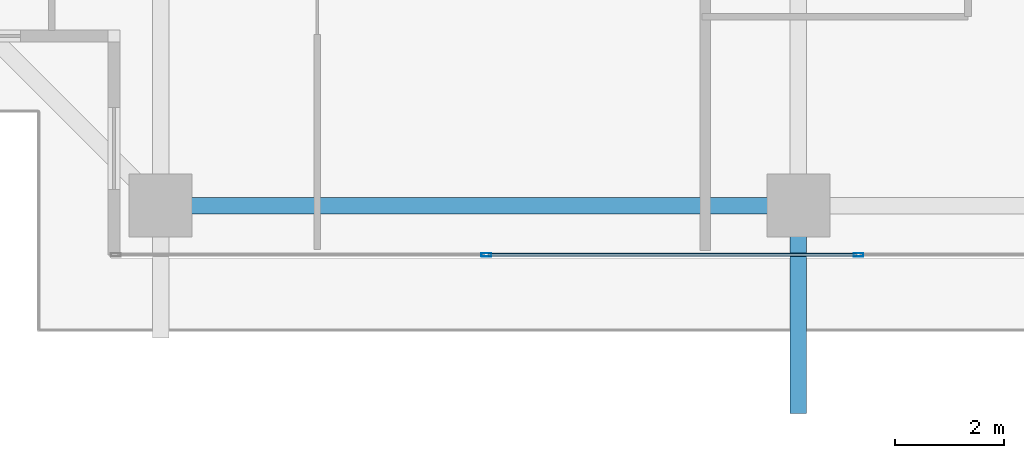
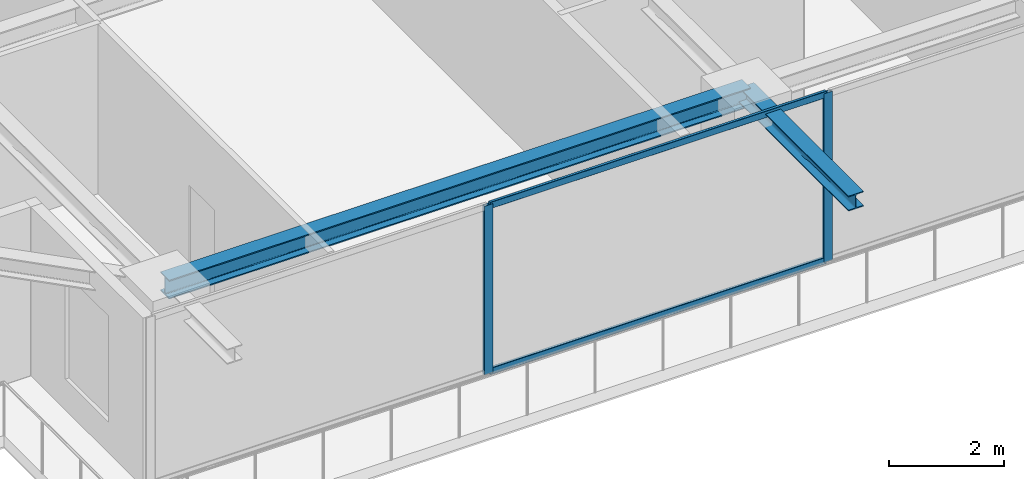
# One storey, part 5 of 39: 4 members, 2 beams, 1 element without a shape of its own.
"""IFC4 building model written with IfcOpenShell, lengths in metres."""

from ifc_helpers import new_model, si_unit, direction, frame, origin, origin_2d, place, context, subcontext, project, spatial, hollow_rectangle, i_section, extrude, source, transform, mapped, material, layer, layer_set, material_profile, profile_set, type_object, element, aggregate, save


model = new_model("IFC4")

# Units and contexts
model_context = context("Model", 3, precision=1e-05, world=origin(), true_north=direction((0.0, 1.0)))
body_context = subcontext(model_context, "Body", "Model", "MODEL_VIEW")
ifc_project = project(units=[si_unit("LENGTHUNIT", "METRE"), si_unit("AREAUNIT", "SQUARE_METRE"), si_unit("VOLUMEUNIT", "CUBIC_METRE"), si_unit("PLANEANGLEUNIT", "RADIAN"), si_unit("MASSUNIT", "GRAM", prefix="KILO")], contexts=[model_context])

# Site, building, storey
site_placement = place(None, origin())
site = spatial("IfcSite", under=ifc_project, at=site_placement, CompositionType="ELEMENT")
building_placement = place(site_placement, origin())
building = spatial("IfcBuilding", under=site, at=building_placement, Name="Serunith Strait Residences", CompositionType="ELEMENT")
storey_placement = place(building_placement, frame((0.0, 0.0, 222.0)))
storey = spatial("IfcBuildingStorey", under=building, at=storey_placement, Name="L55", CompositionType="ELEMENT", Elevation=222.0)

# Beams
ifc_material_1 = material(Name="Steel S355J2", Category="steel")
ifc_material_profile_1 = material_profile(ifc_material_1, i_section(OverallWidth=0.300048828125, OverallDepth=0.39990234375, WebThickness=0.013427734375, FlangeThickness=0.02392578125, FilletRadius=0.027099609375, at=origin_2d()), Name="HEB 400")
ifc_profile_set_1 = profile_set([ifc_material_profile_1], Name="Steel S355J2")
beam_type_1 = type_object("IfcBeamType", Name="BM-HEB400", PredefinedType="BEAM", material=ifc_profile_set_1)
shared_shape_1 = source(origin(), body_context, "Body", "SweptSolid", [
    extrude(i_section(OverallWidth=0.300048828125, OverallDepth=0.39990234375, WebThickness=0.013427734375, FlangeThickness=0.02392578125, FilletRadius=0.027099609375, at=origin_2d()), origin(), (0.0, 0.0, 1.0), 11.64990234375),
])
beam_1_placement = place(storey_placement, frame((16.25, 2.10009765625, 3.386962890625), z_axis=(1.0, 0.0, 0.0), x_axis=(0.0, 1.0, 0.0)))
element("IfcBeam", 1, at=beam_1_placement, inside=storey, type_object=beam_type_1, Name="L55 Perimeter Ring Beam 01", PredefinedType="BEAM", context=body_context, shape_type="MappedRepresentation", body=[
    mapped(shared_shape_1, transform((0.0, 0.0, 0.0), scale=1.0)),
])
ifc_material_profile_2 = material_profile(ifc_material_1, i_section(OverallWidth=0.300048828125, OverallDepth=0.320068359375, WebThickness=0.011474609375, FlangeThickness=0.0205078125, FilletRadius=0.027099609375, at=origin_2d()), Name="HEB 320")
ifc_profile_set_2 = profile_set([ifc_material_profile_2], Name="Steel S355J2")
beam_type_2 = type_object("IfcBeamType", Name="BM-HEB320", PredefinedType="BEAM", material=ifc_profile_set_2)
shared_shape_2 = source(origin(), body_context, "Body", "SweptSolid", [
    extrude(i_section(OverallWidth=0.300048828125, OverallDepth=0.320068359375, WebThickness=0.011474609375, FlangeThickness=0.0205078125, FilletRadius=0.027099609375, at=origin_2d()), origin(), (0.0, 0.0, 1.0), 3.800048828125),
])
beam_2_placement = place(storey_placement, frame((27.89990234375, 2.10009765625, 3.39697265625), z_axis=(0.0, -1.0, 0.0), x_axis=(1.0, 0.0, 0.0)))
element("IfcBeam", 2, at=beam_2_placement, inside=storey, type_object=beam_type_2, Name="L56 Cantilevered Balcony Rib TC-S2", PredefinedType="BEAM", context=body_context, shape_type="MappedRepresentation", body=[
    mapped(shared_shape_2, transform((0.0, 0.0, 0.0), scale=1.0)),
])

# Curtain wall, members
ifc_material_2 = material(Name="Pale-Champagne Anodised Aluminium", Category="aluminium")
ifc_layer = layer(ifc_material_2, 0.199951171875, Name="Pale-Champagne Anodised Aluminium")
ifc_layer_set = layer_set([ifc_layer], Name="Pale-Champagne Anodised Aluminium")
curtain_wall_type = type_object("IfcCurtainWallType", Name="CW-SYS4", PredefinedType="NOTDEFINED", material=ifc_layer_set)
curtain_wall_placement = place(storey_placement, origin())
curtain_wall = element("IfcCurtainWall", 3, at=curtain_wall_placement, inside=storey, type_object=curtain_wall_type, Name="L55 S Unitised Fritted Curtain Wall", PredefinedType="NOTDEFINED")
ifc_material_profile_3 = material_profile(ifc_material_2, hollow_rectangle(XDim=0.06494140625, YDim=0.179931640625, WallThickness=0.00341796875, InnerFilletRadius=0.00537109375, OuterFilletRadius=0.0087890625, at=origin_2d()), Name="ALU 180x65x3.5")
ifc_profile_set_3 = profile_set([ifc_material_profile_3], Name="Pale-Champagne Anodised Aluminium")
member_type_1 = type_object("IfcMemberType", Name="CW-SYS4-MULL", PredefinedType="MULLION", material=ifc_profile_set_3)
shared_shape_3 = source(origin(), body_context, "Body", "SweptSolid", [
    extrude(hollow_rectangle(XDim=0.06494140625, YDim=0.179931640625, WallThickness=0.00341796875, InnerFilletRadius=0.00537109375, OuterFilletRadius=0.0087890625, at=origin_2d()), origin(), (0.0, 0.0, 1.0), 3.574951171875),
])
member_1_placement = place(storey_placement, frame((22.199951171875, 1.199951171875, 0.0), z_axis=(0.0, 0.0, 1.0), x_axis=(0.0, 1.0, 0.0)))
member_1 = element("IfcMember", 4, at=member_1_placement, type_object=member_type_1, Name="CW-4 mullion 2", PredefinedType="MULLION", context=body_context, shape_type="MappedRepresentation", body=[
    mapped(shared_shape_3, transform((0.0, 0.0, 0.0), scale=1.0)),
])
member_2_placement = place(storey_placement, frame((29.0, 1.199951171875, 0.0), z_axis=(0.0, 0.0, 1.0), x_axis=(0.0, 1.0, 0.0)))
member_2 = element("IfcMember", 5, at=member_2_placement, type_object=member_type_1, Name="CW-4 mullion 3", PredefinedType="MULLION", context=body_context, shape_type="MappedRepresentation", body=[
    mapped(shared_shape_3, transform((0.0, 0.0, 0.0), scale=1.0)),
])
ifc_material_profile_4 = material_profile(ifc_material_2, hollow_rectangle(XDim=0.06005859375, YDim=0.139892578125, WallThickness=0.00341796875, InnerFilletRadius=0.00537109375, OuterFilletRadius=0.0087890625, at=origin_2d()), Name="ALU 140x60x3.5")
ifc_profile_set_4 = profile_set([ifc_material_profile_4], Name="Pale-Champagne Anodised Aluminium")
member_type_2 = type_object("IfcMemberType", Name="CW-SYS4-TRAN", PredefinedType="USERDEFINED", material=ifc_profile_set_4)
shared_shape_4 = source(origin(), body_context, "Body", "SweptSolid", [
    extrude(hollow_rectangle(XDim=0.06005859375, YDim=0.139892578125, WallThickness=0.00341796875, InnerFilletRadius=0.00537109375, OuterFilletRadius=0.0087890625, at=origin_2d()), origin(), (0.0, 0.0, 1.0), 6.735107421875),
])
member_3_placement = place(storey_placement, frame((22.232421875, 1.199951171875, 0.030029296875), z_axis=(1.0, 0.0, 0.0), x_axis=(0.0, 1.0, 0.0)))
member_3 = element("IfcMember", 6, at=member_3_placement, type_object=member_type_2, Name="CW-4 transom 2.1", ObjectType="TRANSOM", PredefinedType="USERDEFINED", context=body_context, shape_type="MappedRepresentation", body=[
    mapped(shared_shape_4, transform((0.0, 0.0, 0.0), scale=1.0)),
])
member_4_placement = place(storey_placement, frame((22.232421875, 1.199951171875, 3.544921875), z_axis=(1.0, 0.0, 0.0), x_axis=(0.0, 1.0, 0.0)))
member_4 = element("IfcMember", 7, at=member_4_placement, type_object=member_type_2, Name="CW-4 transom 2.2", ObjectType="TRANSOM", PredefinedType="USERDEFINED", context=body_context, shape_type="MappedRepresentation", body=[
    mapped(shared_shape_4, transform((0.0, 0.0, 0.0), scale=1.0)),
])
aggregate(curtain_wall, [member_1, member_2, member_3, member_4])

save(model, "model.ifc")
